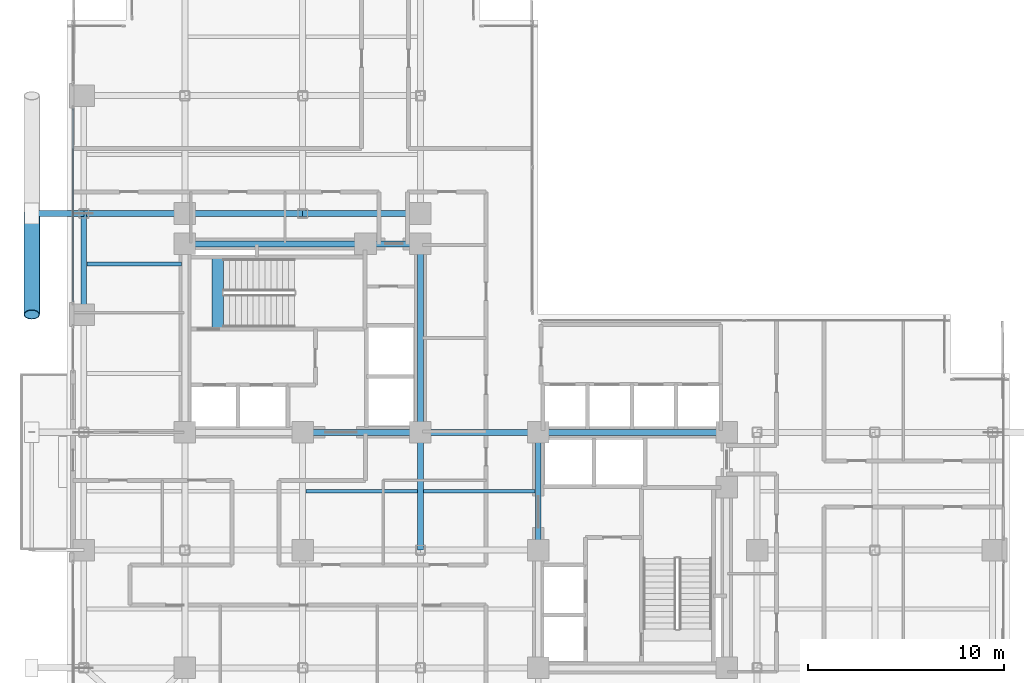
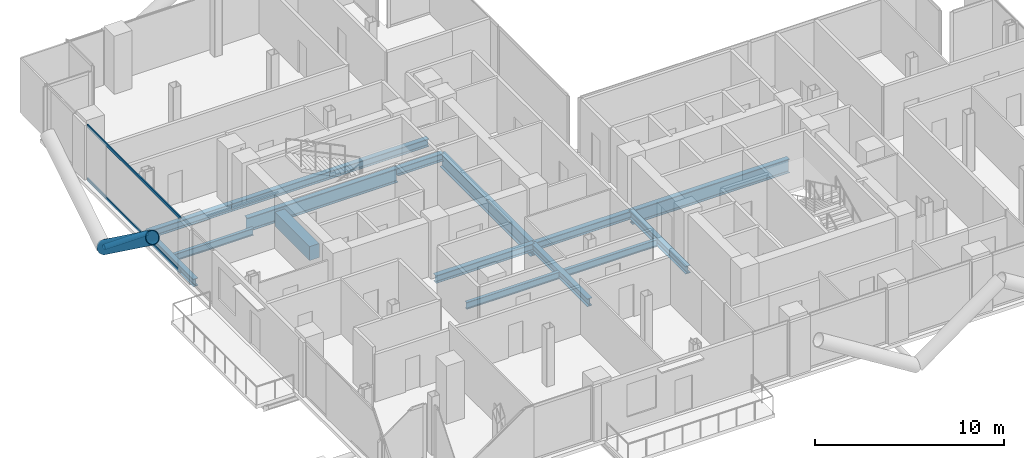
# One storey, part 7 of 24: 16 beams, 4 members, 1 element without a shape of its own.
"""IFC4 building model written with IfcOpenShell, lengths in metres."""

from ifc_helpers import new_model, si_unit, direction, frame, origin, origin_2d, place, context, subcontext, project, spatial, rectangle, hollow_rectangle, hollow_circle, i_section, extrude, material, layer, layer_set, material_profile, profile_set, type_object, element, aggregate, save


model = new_model("IFC4")

# Units and contexts
model_context = context("Model", 3, precision=1e-05, world=origin(), true_north=direction((0.0, 1.0)))
body_context = subcontext(model_context, "Body", "Model", "MODEL_VIEW")
ifc_project = project(units=[si_unit("LENGTHUNIT", "METRE"), si_unit("AREAUNIT", "SQUARE_METRE"), si_unit("VOLUMEUNIT", "CUBIC_METRE"), si_unit("PLANEANGLEUNIT", "RADIAN"), si_unit("MASSUNIT", "GRAM", prefix="KILO"), si_unit("THERMODYNAMICTEMPERATUREUNIT", "KELVIN"), si_unit("POWERUNIT", "WATT")], contexts=[model_context])

# Site, building, storey
site_placement = place(None, origin())
site = spatial("IfcSite", under=ifc_project, at=site_placement, CompositionType="ELEMENT")
building_placement = place(site_placement, origin())
building = spatial("IfcBuilding", under=site, at=building_placement, Name="Svarakhadi Broadcast Tower", CompositionType="ELEMENT")
storey_placement = place(building_placement, frame((0.0, 0.0, 141.89990234375)))
storey = spatial("IfcBuildingStorey", under=building, at=storey_placement, Name="L34", CompositionType="ELEMENT", Elevation=141.89990234375)

# Beams
ifc_material_1 = material(Name="Steel S355J2 (IS 2062 E350C)", Category="steel")
ifc_material_profile_1 = material_profile(ifc_material_1, i_section(OverallWidth=0.18994140625, OverallDepth=0.449951171875, WebThickness=0.009521484375, FlangeThickness=0.0146484375, FilletRadius=0.02099609375, at=origin_2d()), Name="NPB 450x190x78")
ifc_profile_set_1 = profile_set([ifc_material_profile_1], Name="Steel S355J2 (IS 2062 E350C)")
beam_type_1 = type_object("IfcBeamType", Name="Beam_NPB450", PredefinedType="BEAM", material=ifc_profile_set_1)
beam_1_placement = place(storey_placement, frame((1.010009765625, 26.574951171875, -0.449951171875), z_axis=(1.0, 0.0, 0.0), x_axis=(0.0, 1.0, 0.0)))
element("IfcBeam", 1, at=beam_1_placement, inside=storey, type_object=beam_type_1, Name="L34 Secondary Composite Beam SB004", PredefinedType="BEAM", context=body_context, shape_type="SweptSolid", body=[
    extrude(i_section(OverallWidth=0.18994140625, OverallDepth=0.449951171875, WebThickness=0.009521484375, FlangeThickness=0.0146484375, FilletRadius=0.02099609375, at=origin_2d()), origin(), (0.0, 0.0, 1.0), 4.830078125),
])
for number, where, z_axis, x_axis, name in (
    (2, (12.159912109375, 15.0, -0.449951171875), (1.0, 0.0, 0.0), (0.0, 1.0, 0.0), "L34 Secondary Composite Beam SB013"),
    (3, (18.159912109375, 15.0, -0.449951171875), (1.0, 0.0, 0.0), (0.0, 1.0, 0.0), "L34 Secondary Composite Beam SB018"),
):
    element("IfcBeam", number, at=place(storey_placement, frame(where, z_axis=z_axis, x_axis=x_axis)), inside=storey, type_object=beam_type_1, Name=name, PredefinedType="BEAM", context=body_context, shape_type="SweptSolid", body=[
        extrude(i_section(OverallWidth=0.18994140625, OverallDepth=0.449951171875, WebThickness=0.009521484375, FlangeThickness=0.0146484375, FilletRadius=0.02099609375, at=origin_2d()), origin(), (0.0, 0.0, 1.0), 5.68017578125),
    ])

# Curtain wall, members
ifc_material_2 = material(Name="Anodised Bronze Aluminium AA 6063-T6", Category="aluminium")
ifc_layer = layer(ifc_material_2, 0.199951171875)
ifc_layer_set = layer_set([ifc_layer], Name="Anodised Bronze Aluminium AA 6063-T6")
curtain_wall_type = type_object("IfcCurtainWallType", Name="CW_Sys_03", PredefinedType="NOTDEFINED", material=ifc_layer_set)
curtain_wall_placement = place(storey_placement, origin())
curtain_wall = element("IfcCurtainWall", 4, at=curtain_wall_placement, inside=storey, type_object=curtain_wall_type, Name="L34 West Curtain Wall 03 Bay 2", PredefinedType="NOTDEFINED")
ifc_material_profile_2 = material_profile(ifc_material_2, hollow_rectangle(XDim=0.070068359375, YDim=0.18505859375, WallThickness=0.0048828125, at=origin_2d()), Name="ALU TRANSOM 185x70x5")
ifc_profile_set_2 = profile_set([ifc_material_profile_2], Name="Anodised Bronze Aluminium AA 6063-T6")
member_type_1 = type_object("IfcMemberType", Name="CW_Sys_03_Trn", PredefinedType="USERDEFINED", material=ifc_profile_set_2)
member_1_placement = place(storey_placement, frame((0.300048828125, 24.64501953125, 0.03515625), z_axis=(0.0, 1.0, 0.0), x_axis=(-1.0, 0.0, 0.0)))
member_1 = element("IfcMember", 5, at=member_1_placement, type_object=member_type_1, Name="CW-03 transom 1.1", ObjectType="TRANSOM", PredefinedType="USERDEFINED", context=body_context, shape_type="SweptSolid", body=[
    extrude(hollow_rectangle(XDim=0.070068359375, YDim=0.18505859375, WallThickness=0.0048828125, at=origin_2d()), origin(), (0.0, 0.0, 1.0), 9.85986328125),
])
member_2_placement = place(storey_placement, frame((0.300048828125, 24.64501953125, 3.489990234375), z_axis=(0.0, 1.0, 0.0), x_axis=(-1.0, 0.0, 0.0)))
member_2 = element("IfcMember", 6, at=member_2_placement, type_object=member_type_1, Name="CW-03 transom 1.2", ObjectType="TRANSOM", PredefinedType="USERDEFINED", context=body_context, shape_type="SweptSolid", body=[
    extrude(hollow_rectangle(XDim=0.070068359375, YDim=0.18505859375, WallThickness=0.0048828125, at=origin_2d()), origin(), (0.0, 0.0, 1.0), 9.85986328125),
])
aggregate(curtain_wall, [member_1, member_2])

# Beam
ifc_material_3 = material(Name="Concrete C50/60 (IS 456 M60)", Category="concrete")
ifc_material_profile_3 = material_profile(ifc_material_3, rectangle(XDim=0.60009765625, YDim=0.89990234375, at=origin_2d()), Name="RC 600x900")
ifc_profile_set_3 = profile_set([ifc_material_profile_3], Name="Concrete C50/60 (IS 456 M60)")
beam_type_2 = type_object("IfcBeamType", Name="Coupling_RC600", PredefinedType="USERDEFINED", material=ifc_profile_set_3)
beam_2_placement = place(storey_placement, frame((7.679931640625, 23.260009765625, -0.449951171875), z_axis=(0.0, 1.0, 0.0), x_axis=(-1.0, 0.0, 0.0)))
element("IfcBeam", 7, at=beam_2_placement, inside=storey, type_object=beam_type_2, Name="L34 Stair ST-01 Landing Throat Trimmer Beam CB-01", ObjectType="GIRDER", PredefinedType="USERDEFINED", context=body_context, shape_type="SweptSolid", body=[
    extrude(rectangle(XDim=0.60009765625, YDim=0.89990234375, at=origin_2d()), origin(), (0.0, 0.0, 1.0), 3.679931640625),
])

# Members
ifc_material_4 = material(Name="Steel S460ML (IS 2062 E450BR)", Category="steel")
ifc_material_profile_4 = material_profile(ifc_material_4, hollow_circle(Radius=0.406494140625, WallThickness=0.0400390625, at=origin_2d()), Name="CHS 813x40")
ifc_profile_set_4 = profile_set([ifc_material_profile_4], Name="Steel S460ML (IS 2062 E450BR)")
member_type_2 = type_object("IfcMemberType", Name="Exo_Brace_CHS813", PredefinedType="BRACE", material=ifc_profile_set_4)
member_3_placement = place(storey_placement, frame((-1.800048828125, 29.14990234375, -0.386962890625), z_axis=(0.0, -0.808391243061, 0.588645562407), x_axis=(1.0, 0.0, 0.0)))
element("IfcMember", 8, at=member_3_placement, inside=storey, type_object=member_type_2, Name="L34 Exposed Bronze Exoskeleton Diagonal W04", PredefinedType="BRACE", context=body_context, shape_type="SweptSolid", body=[
    extrude(hollow_circle(Radius=0.406494140625, WallThickness=0.0400390625, at=origin_2d()), origin(), (0.0, 0.0, 1.0), 6.37060546875),
])
ifc_material_profile_5 = material_profile(ifc_material_4, hollow_circle(Radius=0.161865234375, WallThickness=0.01611328125, at=origin_2d()), Name="CHS 323.9x16")
ifc_profile_set_5 = profile_set([ifc_material_profile_5], Name="Steel S460ML (IS 2062 E450BR)")
member_type_3 = type_object("IfcMemberType", Name="Exo_Radial_Strut_Z2", PredefinedType="STRUT", material=ifc_profile_set_5)
member_4_placement = place(storey_placement, frame((-1.800048828125, 29.14990234375, -0.386962890625), z_axis=(1.0, 0.0, 0.0), x_axis=(0.0, 1.0, 0.0)))
element("IfcMember", 9, at=member_4_placement, inside=storey, type_object=member_type_3, Name="L34 Exoskeleton Radial Tie Strut W07", PredefinedType="STRUT", context=body_context, shape_type="SweptSolid", body=[
    extrude(hollow_circle(Radius=0.161865234375, WallThickness=0.01611328125, at=origin_2d()), origin(), (0.0, 0.0, 1.0), 2.650146484375),
])

# Beams
ifc_material_profile_6 = material_profile(ifc_material_1, i_section(OverallWidth=0.300048828125, OverallDepth=0.5, WebThickness=0.014404296875, FlangeThickness=0.028076171875, FilletRadius=0.027099609375, at=origin_2d()), Name="WPB 500x300x187")
ifc_profile_set_6 = profile_set([ifc_material_profile_6], Name="Steel S355J2 (IS 2062 E350C)")
beam_type_3 = type_object("IfcBeamType", Name="Girder_WPB500", PredefinedType="USERDEFINED", material=ifc_profile_set_6)
for number, where, z_axis, x_axis, name in (
    (10, (12.0, 18.0, -0.474853515625), (1.0, 0.0, 0.0), (0.0, 1.0, 0.0), "L34 Primary E-W Girder G025"),
    (11, (18.0, 18.0, -0.474853515625), (1.0, 0.0, 0.0), (0.0, 1.0, 0.0), "L34 Primary E-W Girder G026"),
):
    element("IfcBeam", number, at=place(storey_placement, frame(where, z_axis=z_axis, x_axis=x_axis)), inside=storey, type_object=beam_type_3, Name=name, ObjectType="GIRDER", PredefinedType="USERDEFINED", context=body_context, shape_type="SweptSolid", body=[
        extrude(i_section(OverallWidth=0.300048828125, OverallDepth=0.5, WebThickness=0.014404296875, FlangeThickness=0.028076171875, FilletRadius=0.027099609375, at=origin_2d()), origin(), (0.0, 0.0, 1.0), 6.0),
    ])
beam_3_placement = place(storey_placement, frame((15.199951171875, 27.60009765625, -0.474853515625), z_axis=(1.0, 0.0, 0.0), x_axis=(0.0, 1.0, 0.0)))
element("IfcBeam", 12, at=beam_3_placement, inside=storey, type_object=beam_type_3, Name="L34 Primary E-W Girder G031", ObjectType="GIRDER", PredefinedType="USERDEFINED", context=body_context, shape_type="SweptSolid", body=[
    extrude(i_section(OverallWidth=0.300048828125, OverallDepth=0.5, WebThickness=0.014404296875, FlangeThickness=0.028076171875, FilletRadius=0.027099609375, at=origin_2d()), origin(), (0.0, 0.0, 1.0), 2.800048828125),
])
beam_4_placement = place(storey_placement, frame((0.85009765625, 29.14990234375, -0.474853515625), z_axis=(1.0, 0.0, 0.0), x_axis=(0.0, 1.0, 0.0)))
element("IfcBeam", 13, at=beam_4_placement, inside=storey, type_object=beam_type_3, Name="L34 Primary E-W Girder G032", ObjectType="GIRDER", PredefinedType="USERDEFINED", context=body_context, shape_type="SweptSolid", body=[
    extrude(i_section(OverallWidth=0.300048828125, OverallDepth=0.5, WebThickness=0.014404296875, FlangeThickness=0.028076171875, FilletRadius=0.027099609375, at=origin_2d()), origin(), (0.0, 0.0, 1.0), 5.14990234375),
])
for number, where, z_axis, x_axis, name in (
    (14, (6.0, 29.14990234375, -0.474853515625), (1.0, 0.0, 0.0), (0.0, 1.0, 0.0), "L34 Primary E-W Girder G033"),
    (15, (12.0, 29.14990234375, -0.474853515625), (1.0, 0.0, 0.0), (0.0, 1.0, 0.0), "L34 Primary E-W Girder G034"),
):
    element("IfcBeam", number, at=place(storey_placement, frame(where, z_axis=z_axis, x_axis=x_axis)), inside=storey, type_object=beam_type_3, Name=name, ObjectType="GIRDER", PredefinedType="USERDEFINED", context=body_context, shape_type="SweptSolid", body=[
        extrude(i_section(OverallWidth=0.300048828125, OverallDepth=0.5, WebThickness=0.014404296875, FlangeThickness=0.028076171875, FilletRadius=0.027099609375, at=origin_2d()), origin(), (0.0, 0.0, 1.0), 6.0),
    ])
beam_5_placement = place(storey_placement, frame((0.85009765625, 24.0, -0.474853515625), z_axis=(0.0, 1.0, 0.0), x_axis=(-1.0, 0.0, 0.0)))
element("IfcBeam", 16, at=beam_5_placement, inside=storey, type_object=beam_type_3, Name="L34 Primary N-S Girder G043", ObjectType="GIRDER", PredefinedType="USERDEFINED", context=body_context, shape_type="SweptSolid", body=[
    extrude(i_section(OverallWidth=0.300048828125, OverallDepth=0.5, WebThickness=0.014404296875, FlangeThickness=0.028076171875, FilletRadius=0.027099609375, at=origin_2d()), origin(), (0.0, 0.0, 1.0), 5.14990234375),
])
for number, where, z_axis, x_axis, name in (
    (17, (18.0, 12.0, -0.474853515625), (0.0, 1.0, 0.0), (-1.0, 0.0, 0.0), "L34 Primary N-S Girder G058"),
    (18, (24.0, 12.0, -0.474853515625), (0.0, 1.0, 0.0), (-1.0, 0.0, 0.0), "L34 Primary N-S Girder G064"),
):
    element("IfcBeam", number, at=place(storey_placement, frame(where, z_axis=z_axis, x_axis=x_axis)), inside=storey, type_object=beam_type_3, Name=name, ObjectType="GIRDER", PredefinedType="USERDEFINED", context=body_context, shape_type="SweptSolid", body=[
        extrude(i_section(OverallWidth=0.300048828125, OverallDepth=0.5, WebThickness=0.014404296875, FlangeThickness=0.028076171875, FilletRadius=0.027099609375, at=origin_2d()), origin(), (0.0, 0.0, 1.0), 6.0),
    ])
ifc_material_profile_7 = material_profile(ifc_material_4, i_section(OverallWidth=0.300048828125, OverallDepth=0.89990234375, WebThickness=0.0185546875, FlangeThickness=0.034912109375, FilletRadius=0.030029296875, at=origin_2d()), Name="WPB 900x300x291")
ifc_profile_set_7 = profile_set([ifc_material_profile_7], Name="Steel S460ML (IS 2062 E450BR)")
beam_type_4 = type_object("IfcBeamType", Name="Girder_WPB900", PredefinedType="USERDEFINED", material=ifc_profile_set_7)
beam_6_placement = place(storey_placement, frame((24.0, 18.0, -0.6748046875), z_axis=(1.0, 0.0, 0.0), x_axis=(0.0, 1.0, 0.0)))
element("IfcBeam", 19, at=beam_6_placement, inside=storey, type_object=beam_type_4, Name="L34 Primary E-W Girder G027", ObjectType="GIRDER", PredefinedType="USERDEFINED", context=body_context, shape_type="SweptSolid", body=[
    extrude(i_section(OverallWidth=0.300048828125, OverallDepth=0.89990234375, WebThickness=0.0185546875, FlangeThickness=0.034912109375, FilletRadius=0.030029296875, at=origin_2d()), origin(), (0.0, 0.0, 1.0), 9.60009765625),
])
beam_7_placement = place(storey_placement, frame((6.0, 27.60009765625, -0.6748046875), z_axis=(1.0, 0.0, 0.0), x_axis=(0.0, 1.0, 0.0)))
element("IfcBeam", 20, at=beam_7_placement, inside=storey, type_object=beam_type_4, Name="L34 Primary E-W Girder G030", ObjectType="GIRDER", PredefinedType="USERDEFINED", context=body_context, shape_type="SweptSolid", body=[
    extrude(i_section(OverallWidth=0.300048828125, OverallDepth=0.89990234375, WebThickness=0.0185546875, FlangeThickness=0.034912109375, FilletRadius=0.030029296875, at=origin_2d()), origin(), (0.0, 0.0, 1.0), 9.199951171875),
])
beam_8_placement = place(storey_placement, frame((18.0, 18.0, -0.6748046875), z_axis=(0.0, 1.0, 0.0), x_axis=(-1.0, 0.0, 0.0)))
element("IfcBeam", 21, at=beam_8_placement, inside=storey, type_object=beam_type_4, Name="L34 Primary N-S Girder G059", ObjectType="GIRDER", PredefinedType="USERDEFINED", context=body_context, shape_type="SweptSolid", body=[
    extrude(i_section(OverallWidth=0.300048828125, OverallDepth=0.89990234375, WebThickness=0.0185546875, FlangeThickness=0.034912109375, FilletRadius=0.030029296875, at=origin_2d()), origin(), (0.0, 0.0, 1.0), 9.60009765625),
])

save(model, "model.ifc")
